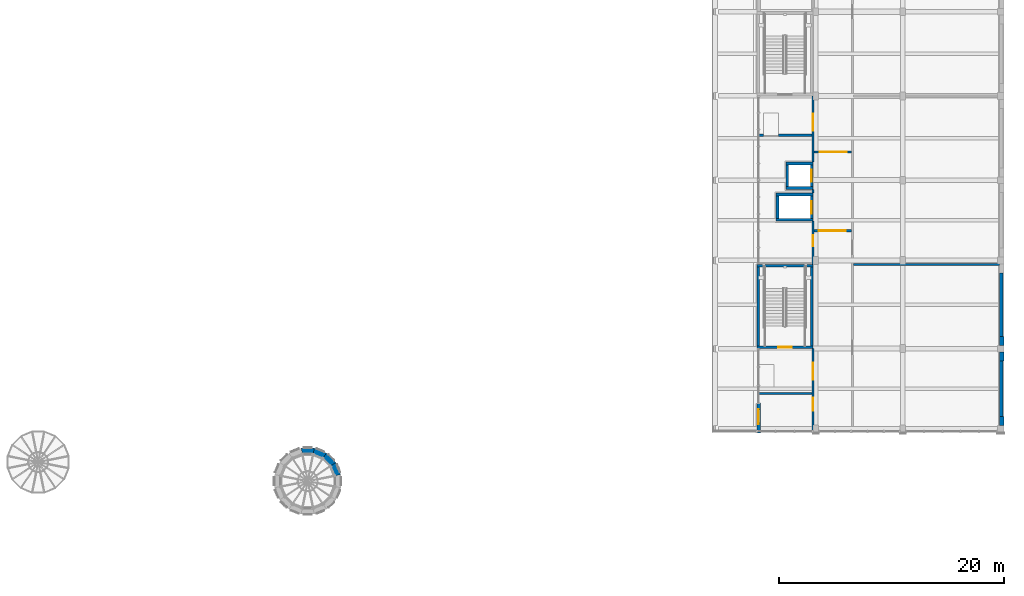
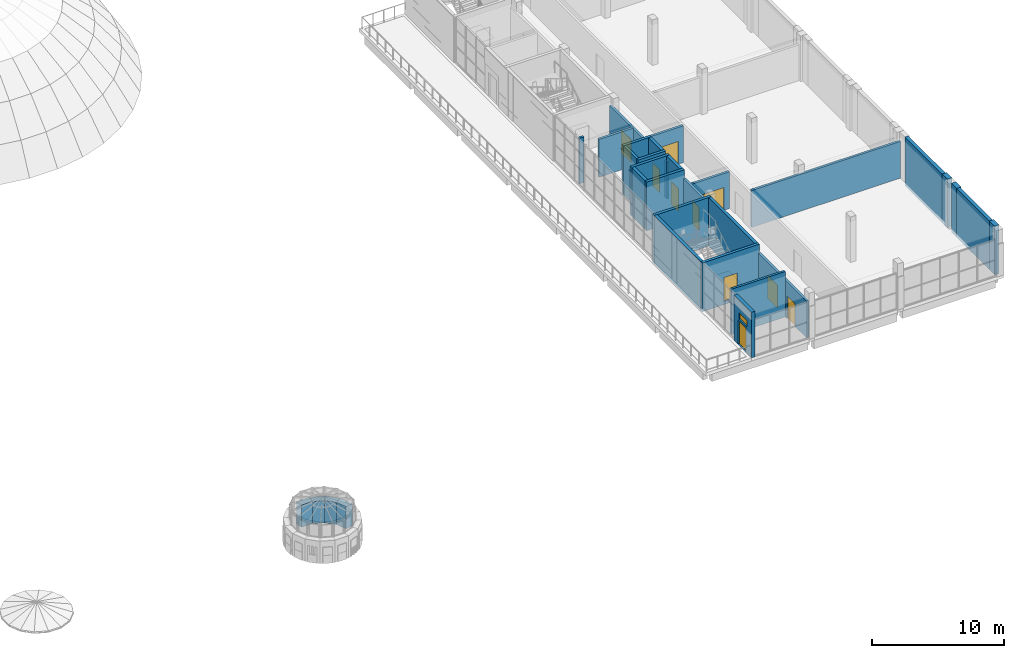
# One storey, part 27 of 36: 32 walls, 10 doors, 1 window, 11 openings.
"""IFC4 building model written with IfcOpenShell, lengths in metres."""

from ifc_helpers import new_model, si_unit, direction, frame, frame_2d, origin, place, context, subcontext, project, spatial, polyline, rectangle, outline, extrude, material, layer, layer_set, type_object, element, fill, save


model = new_model("IFC4")

# Units and contexts
model_context = context("Model", 3, precision=1e-05, world=origin(), true_north=direction((0.0, 1.0)))
body_context = subcontext(model_context, "Body", "Model", "MODEL_VIEW")
ifc_project = project(units=[si_unit("LENGTHUNIT", "METRE"), si_unit("AREAUNIT", "SQUARE_METRE"), si_unit("VOLUMEUNIT", "CUBIC_METRE"), si_unit("PLANEANGLEUNIT", "RADIAN"), si_unit("MASSUNIT", "GRAM", prefix="KILO")], contexts=[model_context])

# Site, building, storey
site_placement = place(None, origin())
site = spatial("IfcSite", under=ifc_project, at=site_placement, CompositionType="ELEMENT")
building_placement = place(site_placement, origin())
building = spatial("IfcBuilding", under=site, at=building_placement, Name="Sun Court Science Centre", CompositionType="ELEMENT")
storey_placement = place(building_placement, frame((0.0, 0.0, 24.75)))
storey = spatial("IfcBuildingStorey", under=building, at=storey_placement, Name="L05", CompositionType="ELEMENT", Elevation=24.75)

# Wall, openings, door, window
ifc_material_1 = material(Name="Clay masonry", Category="masonry")
ifc_layer_1 = layer(ifc_material_1, 0.300048828125)
ifc_layer_set_1 = layer_set([ifc_layer_1], Name="Clay masonry")
wall_type_1 = type_object("IfcWallType", Name="Clay masonry infill wall 300", PredefinedType="SOLIDWALL", material=ifc_layer_set_1)
wall_1_placement = place(storey_placement, frame((82.14990234375, 28.5, 0.0), z_axis=(0.0, 0.0, 1.0), x_axis=(0.0, 1.0, 0.0)))
wall_1 = element("IfcWall", 1, at=wall_1_placement, inside=storey, type_object=wall_type_1, Name="External infill wall L05 west face of the terrace level 01", PredefinedType="SOLIDWALL", context=body_context, shape_type="SweptSolid", body=[
    extrude(rectangle(XDim=2.659912109375, YDim=0.300048828125, at=frame_2d((1.330078125, 0.0))), origin(), (0.0, 0.0, 1.0), 4.199951171875),
])
opening_1_placement = place(wall_1_placement, frame((0.89990234375, 0.0, 0.0)))
opening_1 = element("IfcOpeningElement", 2, at=opening_1_placement, cuts=wall_1, Name="Opening D-L05-018", PredefinedType="OPENING", context=body_context, shape_type="SweptSolid", body=[
    extrude(rectangle(XDim=1.199951171875, YDim=2.199951171875, at=frame_2d((0.60009765625, 1.10009765625))), frame((0.0, 0.159912109375, 0.0), z_axis=(0.0, -1.0, 0.0), x_axis=(1.0, 0.0, 0.0)), (0.0, 0.0, 1.0), 0.320068359375),
])
opening_2_placement = place(wall_1_placement, frame((0.75, 0.0, 2.39990234375)))
opening_2 = element("IfcOpeningElement", 3, at=opening_2_placement, cuts=wall_1, Name="Opening WN-L05-017", PredefinedType="OPENING", context=body_context, shape_type="SweptSolid", body=[
    extrude(rectangle(XDim=1.199951171875, YDim=0.60009765625, at=frame_2d((0.60009765625, 0.300048828125))), frame((0.0, 0.159912109375, 0.0), z_axis=(0.0, -1.0, 0.0), x_axis=(1.0, 0.0, 0.0)), (0.0, 0.0, 1.0), 0.320068359375),
])
ifc_material_2 = material(Name="Steel and glass", Category="steel")
door_type_1 = type_object("IfcDoorType", Name="Exterior door 1200 x 2200 single", OperationType="SINGLE_SWING_LEFT", PredefinedType="DOOR", material=ifc_material_2)
door_1_placement = place(opening_1_placement, origin())
door_1 = element("IfcDoor", 4, at=door_1_placement, inside=storey, type_object=door_type_1, Name="Exterior door D-L05-018 to the west terrace", OperationType="SINGLE_SWING_LEFT", OverallHeight=2.199951171875, OverallWidth=1.199951171875, PredefinedType="DOOR", context=body_context, shape_type="SweptSolid", body=[
    extrude(rectangle(XDim=1.199951171875, YDim=2.199951171875, at=frame_2d((0.60009765625, 1.10009765625))), frame((0.0, 0.02490234375, 0.0), z_axis=(0.0, -1.0, 0.0), x_axis=(1.0, 0.0, 0.0)), (0.0, 0.0, 1.0), 0.050048828125),
])
fill(opening_1, door_1)
ifc_material_3 = material(Name="Aluminium frame, 6-12-6 glazing", Category="aluminium")
window_type = type_object("IfcWindowType", Name="Smoke vent opening light 1200 x 600", PartitioningType="SINGLE_PANEL", PredefinedType="WINDOW", material=ifc_material_3)
window_placement = place(opening_2_placement, origin())
window = element("IfcWindow", 5, at=window_placement, inside=storey, type_object=window_type, Name="Smoke vent L05 west face of the terrace level", OverallHeight=0.60009765625, OverallWidth=1.199951171875, PartitioningType="SINGLE_PANEL", PredefinedType="WINDOW", context=body_context, shape_type="SweptSolid", body=[
    extrude(rectangle(XDim=1.199951171875, YDim=0.60009765625, at=frame_2d((0.60009765625, 0.300048828125))), frame((0.0, 0.030029296875, 0.0), z_axis=(0.0, -1.0, 0.0), x_axis=(1.0, 0.0, 0.0)), (0.0, 0.0, 1.0), 0.06005859375),
])
fill(opening_2, window)

# Walls
ifc_material_4 = material(Name="Gypsum board")
ifc_layer_2 = layer(ifc_material_4, 0.199951171875)
ifc_layer_set_2 = layer_set([ifc_layer_2], Name="Gypsum board")
wall_type_2 = type_object("IfcWallType", Name="Partition 200 acoustic double stud", PredefinedType="PARTITIONING", material=ifc_layer_set_2)
wall_2_placement = place(storey_placement, frame((90.60009765625, 43.5, 0.0), z_axis=(0.0, 0.0, 1.0), x_axis=(1.0, 0.0, 0.0)))
element("IfcWall", 6, at=wall_2_placement, inside=storey, type_object=wall_type_2, Name="L05 partition 002", PredefinedType="PARTITIONING", context=body_context, shape_type="SweptSolid", body=[
    extrude(rectangle(XDim=12.997802734375, YDim=0.199951171875, at=frame_2d((6.4990234375, 0.0))), origin(), (0.0, 0.0, 1.0), 3.39990234375),
])
ifc_material_5 = material(Name="Concrete block", Category="concrete")
ifc_layer_3 = layer(ifc_material_5, 0.199951171875)
ifc_layer_set_3 = layer_set([ifc_layer_3], Name="Concrete block")
wall_type_3 = type_object("IfcWallType", Name="Partition 200 block EI60", PredefinedType="PARTITIONING", material=ifc_layer_set_3)
wall_3_placement = place(storey_placement, frame((82.199951171875, 32.0, 0.0), z_axis=(0.0, 0.0, 1.0), x_axis=(1.0, 0.0, 0.0)))
element("IfcWall", 7, at=wall_3_placement, inside=storey, type_object=wall_type_3, Name="L05 partition 001", PredefinedType="PARTITIONING", context=body_context, shape_type="SweptSolid", body=[
    extrude(rectangle(XDim=4.699951171875, YDim=0.199951171875, at=frame_2d((2.35009765625, 0.0))), origin(), (0.0, 0.0, 1.0), 4.199951171875),
])
wall_4_placement = place(storey_placement, frame((82.199951171875, 55.0, 0.0), z_axis=(0.0, 0.0, 1.0), x_axis=(1.0, 0.0, 0.0)))
element("IfcWall", 8, at=wall_4_placement, inside=storey, type_object=wall_type_3, Name="L05 partition 005", PredefinedType="PARTITIONING", context=body_context, shape_type="SweptSolid", body=[
    extrude(rectangle(XDim=0.400146484375, YDim=0.199951171875, at=frame_2d((0.2001953125, 0.0))), origin(), (0.0, 0.0, 1.0), 4.199951171875),
])
wall_5_placement = place(storey_placement, frame((83.89990234375, 55.0, 0.0), z_axis=(0.0, 0.0, 1.0), x_axis=(1.0, 0.0, 0.0)))
element("IfcWall", 9, at=wall_5_placement, inside=storey, type_object=wall_type_3, Name="L05 partition 006", PredefinedType="PARTITIONING", context=body_context, shape_type="SweptSolid", body=[
    extrude(rectangle(XDim=3.0, YDim=0.199951171875, at=frame_2d((1.5, 0.0))), origin(), (0.0, 0.0, 1.0), 3.5),
])
wall_6_placement = place(storey_placement, frame((87.0, 49.85205078125, 0.0), z_axis=(0.0, 0.0, 1.0), x_axis=(0.0, 1.0, 0.0)))
element("IfcWall", 10, at=wall_6_placement, inside=storey, type_object=wall_type_3, Name="L05 partition 013", PredefinedType="PARTITIONING", context=body_context, shape_type="SweptSolid", body=[
    extrude(rectangle(XDim=0.33349609375, YDim=0.199951171875, at=frame_2d((0.166748046875, 0.0))), origin(), (0.0, 0.0, 1.0), 3.39990234375),
])

# Wall, opening, door
ifc_material_6 = material(Name="Concrete block", Category="concrete")
ifc_layer_4 = layer(ifc_material_6, 0.199951171875)
ifc_layer_set_4 = layer_set([ifc_layer_4], Name="Concrete block")
wall_type_4 = type_object("IfcWallType", Name="Partition 200 corridor block EI120", PredefinedType="PARTITIONING", material=ifc_layer_set_4)
wall_7_placement = place(storey_placement, frame((90.39990234375, 46.5, 0.0), z_axis=(0.0, 0.0, 1.0), x_axis=(-1.0, 0.0, 0.0)))
wall_7 = element("IfcWall", 11, at=wall_7_placement, inside=storey, type_object=wall_type_4, Name="L05 partition 003", PredefinedType="PARTITIONING", context=body_context, shape_type="SweptSolid", body=[
    extrude(rectangle(XDim=3.2998046875, YDim=0.199951171875, at=frame_2d((1.64990234375, 0.0))), origin(), (0.0, 0.0, 1.0), 3.39990234375),
])
opening_3_placement = place(wall_7_placement, frame((0.47705078125, 0.0, 0.0)))
opening_3 = element("IfcOpeningElement", 12, at=opening_3_placement, cuts=wall_7, Name="Opening D-L05-004", PredefinedType="OPENING", context=body_context, shape_type="SweptSolid", body=[
    extrude(rectangle(XDim=2.39990234375, YDim=2.10009765625, at=frame_2d((1.199951171875, 1.050048828125))), frame((0.0, 0.10986328125, 0.0), z_axis=(0.0, -1.0, 0.0), x_axis=(1.0, 0.0, 0.0)), (0.0, 0.0, 1.0), 0.219970703125),
])
ifc_material_7 = material(Name="Steel", Category="steel")
door_type_2 = type_object("IfcDoorType", Name="Door 2400x2100 double leaf FD60", OperationType="DOUBLE_DOOR_SINGLE_SWING", PredefinedType="DOOR", material=ifc_material_7)
door_2_placement = place(opening_3_placement, origin())
door_2 = element("IfcDoor", 13, at=door_2_placement, inside=storey, type_object=door_type_2, Name="Door D-L05-004", OperationType="DOUBLE_DOOR_SINGLE_SWING", OverallHeight=2.10009765625, OverallWidth=2.39990234375, PredefinedType="DOOR", context=body_context, shape_type="SweptSolid", body=[
    extrude(rectangle(XDim=2.39990234375, YDim=2.10009765625, at=frame_2d((1.199951171875, 1.050048828125))), frame((0.0, 0.02490234375, 0.0), z_axis=(0.0, -1.0, 0.0), x_axis=(1.0, 0.0, 0.0)), (0.0, 0.0, 1.0), 0.050048828125),
])
fill(opening_3, door_2)

wall_8_placement = place(storey_placement, frame((87.10009765625, 53.5, 0.0), z_axis=(0.0, 0.0, 1.0), x_axis=(1.0, 0.0, 0.0)))
wall_8 = element("IfcWall", 14, at=wall_8_placement, inside=storey, type_object=wall_type_4, Name="L05 partition 004", PredefinedType="PARTITIONING", context=body_context, shape_type="SweptSolid", body=[
    extrude(rectangle(XDim=3.2998046875, YDim=0.199951171875, at=frame_2d((1.64990234375, 0.0))), origin(), (0.0, 0.0, 1.0), 3.39990234375),
])
opening_4_placement = place(wall_8_placement, frame((0.47705078125, 0.0, 0.0)))
opening_4 = element("IfcOpeningElement", 15, at=opening_4_placement, cuts=wall_8, Name="Opening D-L05-001", PredefinedType="OPENING", context=body_context, shape_type="SweptSolid", body=[
    extrude(rectangle(XDim=2.39990234375, YDim=2.10009765625, at=frame_2d((1.199951171875, 1.050048828125))), frame((0.0, 0.10986328125, 0.0), z_axis=(0.0, -1.0, 0.0), x_axis=(1.0, 0.0, 0.0)), (0.0, 0.0, 1.0), 0.219970703125),
])
door_3_placement = place(opening_4_placement, origin())
door_3 = element("IfcDoor", 16, at=door_3_placement, inside=storey, type_object=door_type_2, Name="Door D-L05-001", OperationType="DOUBLE_DOOR_SINGLE_SWING", OverallHeight=2.10009765625, OverallWidth=2.39990234375, PredefinedType="DOOR", context=body_context, shape_type="SweptSolid", body=[
    extrude(rectangle(XDim=2.39990234375, YDim=2.10009765625, at=frame_2d((1.199951171875, 1.050048828125))), frame((0.0, 0.02490234375, 0.0), z_axis=(0.0, -1.0, 0.0), x_axis=(1.0, 0.0, 0.0)), (0.0, 0.0, 1.0), 0.050048828125),
])
fill(opening_4, door_3)

# Wall, openings, doors
wall_9_placement = place(storey_placement, frame((87.0, 28.699951171875, 0.0), z_axis=(0.0, 0.0, 1.0), x_axis=(0.0, 1.0, 0.0)))
wall_9 = element("IfcWall", 17, at=wall_9_placement, inside=storey, type_object=wall_type_4, Name="L05 partition 011", PredefinedType="PARTITIONING", context=body_context, shape_type="SweptSolid", body=[
    extrude(rectangle(XDim=7.298095703125, YDim=0.199951171875, at=frame_2d((3.64892578125, 0.0))), origin(), (0.0, 0.0, 1.0), 3.39990234375),
])
opening_5_placement = place(wall_9_placement, frame((4.550048828125, 0.0, 0.0)))
opening_5 = element("IfcOpeningElement", 18, at=opening_5_placement, cuts=wall_9, Name="Opening D-L05-006", PredefinedType="OPENING", context=body_context, shape_type="SweptSolid", body=[
    extrude(rectangle(XDim=1.5, YDim=2.10009765625, at=frame_2d((0.75, 1.050048828125))), frame((0.0, 0.10986328125, 0.0), z_axis=(0.0, -1.0, 0.0), x_axis=(1.0, 0.0, 0.0)), (0.0, 0.0, 1.0), 0.219970703125),
])
opening_6_placement = place(wall_9_placement, frame((1.75, 0.0, 0.0)))
opening_6 = element("IfcOpeningElement", 19, at=opening_6_placement, cuts=wall_9, Name="Opening D-L05-011", PredefinedType="OPENING", context=body_context, shape_type="SweptSolid", body=[
    extrude(rectangle(XDim=1.199951171875, YDim=2.10009765625, at=frame_2d((0.60009765625, 1.050048828125))), frame((0.0, 0.10986328125, 0.0), z_axis=(0.0, -1.0, 0.0), x_axis=(1.0, 0.0, 0.0)), (0.0, 0.0, 1.0), 0.219970703125),
])
ifc_material_8 = material(Name="Steel", Category="steel")
door_type_3 = type_object("IfcDoorType", Name="Door 1200x2100 single leaf FD60", OperationType="NOTDEFINED", PredefinedType="DOOR", material=ifc_material_8)
door_4_placement = place(opening_6_placement, origin())
door_4 = element("IfcDoor", 20, at=door_4_placement, inside=storey, type_object=door_type_3, Name="Door D-L05-011", OperationType="SINGLE_SWING_RIGHT", OverallHeight=2.10009765625, OverallWidth=1.199951171875, PredefinedType="DOOR", context=body_context, shape_type="SweptSolid", body=[
    extrude(rectangle(XDim=1.199951171875, YDim=2.10009765625, at=frame_2d((0.60009765625, 1.050048828125))), frame((0.0, 0.02490234375, 0.0), z_axis=(0.0, -1.0, 0.0), x_axis=(1.0, 0.0, 0.0)), (0.0, 0.0, 1.0), 0.050048828125),
])
fill(opening_6, door_4)
ifc_material_9 = material(Name="Steel", Category="steel")
door_type_4 = type_object("IfcDoorType", Name="Door 1500x2100 double leaf FD60", OperationType="DOUBLE_DOOR_SINGLE_SWING", PredefinedType="DOOR", material=ifc_material_9)
door_5_placement = place(opening_5_placement, origin())
door_5 = element("IfcDoor", 21, at=door_5_placement, inside=storey, type_object=door_type_4, Name="Door D-L05-006", OperationType="DOUBLE_DOOR_SINGLE_SWING", OverallHeight=2.10009765625, OverallWidth=1.5, PredefinedType="DOOR", context=body_context, shape_type="SweptSolid", body=[
    extrude(rectangle(XDim=1.5, YDim=2.10009765625, at=frame_2d((0.75, 1.050048828125))), frame((0.0, 0.02490234375, 0.0), z_axis=(0.0, -1.0, 0.0), x_axis=(1.0, 0.0, 0.0)), (0.0, 0.0, 1.0), 0.050048828125),
])
fill(opening_5, door_5)

# Wall, opening, door
wall_10_placement = place(storey_placement, frame((87.0, 43.501953125, 0.0), z_axis=(0.0, 0.0, 1.0), x_axis=(0.0, 1.0, 0.0)))
wall_10 = element("IfcWall", 22, at=wall_10_placement, inside=storey, type_object=wall_type_4, Name="L05 partition 012", PredefinedType="PARTITIONING", context=body_context, shape_type="SweptSolid", body=[
    extrude(rectangle(XDim=3.845947265625, YDim=0.199951171875, at=frame_2d((1.9228515625, 0.0))), origin(), (0.0, 0.0, 1.0), 3.39990234375),
])
opening_7_placement = place(wall_10_placement, frame((1.59912109375, 0.0, 0.0)))
opening_7 = element("IfcOpeningElement", 23, at=opening_7_placement, cuts=wall_10, Name="Opening D-L05-012", PredefinedType="OPENING", context=body_context, shape_type="SweptSolid", body=[
    extrude(rectangle(XDim=1.0, YDim=2.10009765625, at=frame_2d((0.5, 1.050048828125))), frame((0.0, 0.10986328125, 0.0), z_axis=(0.0, -1.0, 0.0), x_axis=(1.0, 0.0, 0.0)), (0.0, 0.0, 1.0), 0.219970703125),
])
ifc_material_10 = material(Name="Steel", Category="steel")
door_type_5 = type_object("IfcDoorType", Name="Door 1000x2100 single leaf FD30S", OperationType="NOTDEFINED", PredefinedType="DOOR", material=ifc_material_10)
door_6_placement = place(opening_7_placement, origin())
door_6 = element("IfcDoor", 24, at=door_6_placement, inside=storey, type_object=door_type_5, Name="Door D-L05-012", OperationType="SINGLE_SWING_LEFT", OverallHeight=2.10009765625, OverallWidth=1.0, PredefinedType="DOOR", context=body_context, shape_type="SweptSolid", body=[
    extrude(rectangle(XDim=1.0, YDim=2.10009765625, at=frame_2d((0.5, 1.050048828125))), frame((0.0, 0.02490234375, 0.0), z_axis=(0.0, -1.0, 0.0), x_axis=(1.0, 0.0, 0.0)), (0.0, 0.0, 1.0), 0.050048828125),
])
fill(opening_7, door_6)

wall_11_placement = place(storey_placement, frame((87.0, 52.614501953125, 0.0), z_axis=(0.0, 0.0, 1.0), x_axis=(0.0, 1.0, 0.0)))
wall_11 = element("IfcWall", 25, at=wall_11_placement, inside=storey, type_object=wall_type_4, Name="L05 partition 014", PredefinedType="PARTITIONING", context=body_context, shape_type="SweptSolid", body=[
    extrude(rectangle(XDim=5.883544921875, YDim=0.199951171875, at=frame_2d((2.94189453125, 0.0))), origin(), (0.0, 0.0, 1.0), 3.39990234375),
])
opening_8_placement = place(wall_11_placement, frame((2.785400390625, 0.0, 0.0)))
opening_8 = element("IfcOpeningElement", 26, at=opening_8_placement, cuts=wall_11, Name="Opening D-L05-008", PredefinedType="OPENING", context=body_context, shape_type="SweptSolid", body=[
    extrude(rectangle(XDim=1.5, YDim=2.10009765625, at=frame_2d((0.75, 1.050048828125))), frame((0.0, 0.10986328125, 0.0), z_axis=(0.0, -1.0, 0.0), x_axis=(1.0, 0.0, 0.0)), (0.0, 0.0, 1.0), 0.219970703125),
])
door_7_placement = place(opening_8_placement, origin())
door_7 = element("IfcDoor", 27, at=door_7_placement, inside=storey, type_object=door_type_4, Name="Door D-L05-008", OperationType="DOUBLE_DOOR_SINGLE_SWING", OverallHeight=2.10009765625, OverallWidth=1.5, PredefinedType="DOOR", context=body_context, shape_type="SweptSolid", body=[
    extrude(rectangle(XDim=1.5, YDim=2.10009765625, at=frame_2d((0.75, 1.050048828125))), frame((0.0, 0.02490234375, 0.0), z_axis=(0.0, -1.0, 0.0), x_axis=(1.0, 0.0, 0.0)), (0.0, 0.0, 1.0), 0.050048828125),
])
fill(opening_8, door_7)

# Walls
ifc_material_11 = material(Name="Concrete C30/37", Category="concrete")
ifc_layer_5 = layer(ifc_material_11, 0.60009765625)
ifc_layer_set_5 = layer_set([ifc_layer_5], Name="Concrete C30/37")
wall_type_5 = type_object("IfcWallType", Name="RC cone ring wall exterior 600", PredefinedType="SHEAR", material=ifc_layer_set_5)
wall_12_placement = place(storey_placement, frame((44.665283203125, 24.67041015625, -0.300048828125), z_axis=(0.0, 0.0, 1.0), x_axis=(-0.382689470177, 0.923877031545, 0.0)))
element("IfcWall", 28, at=wall_12_placement, inside=storey, type_object=wall_type_5, Name="Cone 4 ring wall L05 segment 1", PredefinedType="SHEAR", context=body_context, shape_type="SweptSolid", body=[
    extrude(outline(polyline([(0.000244140625, -0.300048828125), (1.170654296875, -0.2998046875), (1.05126953125, 0.300048828125), (0.11962890625, 0.300048828125), (0.000244140625, -0.300048828125)])), origin(), (0.0, 0.0, 1.0), 2.050048828125),
])
wall_13_placement = place(storey_placement, frame((44.2822265625, 25.654541015625, -0.300048828125), z_axis=(0.0, 0.0, 1.0), x_axis=(-0.707106781187, 0.707106781187, 0.0)))
element("IfcWall", 29, at=wall_13_placement, inside=storey, type_object=wall_type_5, Name="Cone 4 ring wall L05 segment 2", PredefinedType="SHEAR", context=body_context, shape_type="SweptSolid", body=[
    extrude(outline(polyline([(0.0, -0.300048828125), (1.17041015625, -0.300048828125), (1.05126953125, 0.2998046875), (0.119384765625, 0.2998046875), (0.0, -0.300048828125)])), origin(), (0.0, 0.0, 1.0), 2.050048828125),
])
wall_14_placement = place(storey_placement, frame((43.552001953125, 26.417236328125, -0.300048828125), z_axis=(0.0, 0.0, 1.0), x_axis=(-0.923877031545, 0.382689470177, 0.0)))
element("IfcWall", 30, at=wall_14_placement, inside=storey, type_object=wall_type_5, Name="Cone 4 ring wall L05 segment 3", PredefinedType="SHEAR", context=body_context, shape_type="SweptSolid", body=[
    extrude(outline(polyline([(0.0, -0.2998046875), (1.170654296875, -0.2998046875), (1.051513671875, 0.300048828125), (0.119384765625, 0.300048828125), (0.0, -0.2998046875)])), origin(), (0.0, 0.0, 1.0), 2.050048828125),
])
wall_15_placement = place(storey_placement, frame((42.585205078125, 26.84228515625, -0.300048828125), z_axis=(0.0, 0.0, 1.0), x_axis=(-1.0, 0.0, 0.0)))
element("IfcWall", 31, at=wall_15_placement, inside=storey, type_object=wall_type_5, Name="Cone 4 ring wall L05 segment 4", PredefinedType="SHEAR", context=body_context, shape_type="SweptSolid", body=[
    extrude(outline(polyline([(0.0, -0.300048828125), (1.17041015625, -0.300048828125), (1.051025390625, 0.2998046875), (0.119384765625, 0.2998046875), (0.0, -0.300048828125)])), origin(), (0.0, 0.0, 1.0), 2.050048828125),
])
ifc_material_12 = material(Name="Concrete C30/37", Category="concrete")
ifc_layer_6 = layer(ifc_material_12, 0.39990234375)
ifc_layer_set_6 = layer_set([ifc_layer_6], Name="Concrete C30/37")
wall_type_6 = type_object("IfcWallType", Name="RC party wall exterior 400", PredefinedType="SOLIDWALL", material=ifc_layer_set_6)
for number, where, z_axis, x_axis, name in (
    (32, (103.800048828125, 29.14990234375, -0.300048828125), (0.0, 0.0, 1.0), (0.0, 1.0, 0.0), "East party wall L05"),
    (33, (103.800048828125, 34.89990234375, -0.300048828125), (0.0, 0.0, 1.0), (0.0, 1.0, 0.0), "East party wall L05"),
    (34, (103.800048828125, 36.300048828125, -0.300048828125), (0.0, 0.0, 1.0), (0.0, 1.0, 0.0), "East party wall L05"),
):
    element("IfcWall", number, at=place(storey_placement, frame(where, z_axis=z_axis, x_axis=x_axis)), inside=storey, type_object=wall_type_6, Name=name, PredefinedType="SOLIDWALL", context=body_context, shape_type="SweptSolid", body=[
        extrude(rectangle(XDim=0.800048828125, YDim=0.39990234375, at=frame_2d((0.39990234375, 0.0))), origin(), (0.0, 0.0, 1.0), 4.5),
    ])
ifc_material_13 = material(Name="Concrete C30/37", Category="concrete")
ifc_layer_7 = layer(ifc_material_13, 0.300048828125)
ifc_layer_set_7 = layer_set([ifc_layer_7], Name="Concrete C30/37")
wall_type_7 = type_object("IfcWallType", Name="RC party wall panel exterior 300", PredefinedType="SOLIDWALL", material=ifc_layer_set_7)
wall_16_placement = place(storey_placement, frame((103.75, 29.949951171875, -0.300048828125), z_axis=(0.0, 0.0, 1.0), x_axis=(0.0, 1.0, 0.0)))
element("IfcWall", 35, at=wall_16_placement, inside=storey, type_object=wall_type_7, Name="East party wall L05 panel", PredefinedType="SOLIDWALL", context=body_context, shape_type="SweptSolid", body=[
    extrude(rectangle(XDim=4.949951171875, YDim=0.300048828125, at=frame_2d((2.47509765625, 0.0))), origin(), (0.0, 0.0, 1.0), 4.5),
])
wall_17_placement = place(storey_placement, frame((103.75, 37.10009765625, -0.300048828125), z_axis=(0.0, 0.0, 1.0), x_axis=(0.0, 1.0, 0.0)))
element("IfcWall", 36, at=wall_17_placement, inside=storey, type_object=wall_type_7, Name="East party wall L05 panel", PredefinedType="SOLIDWALL", context=body_context, shape_type="SweptSolid", body=[
    extrude(rectangle(XDim=5.64990234375, YDim=0.300048828125, at=frame_2d((2.824951171875, 0.0))), origin(), (0.0, 0.0, 1.0), 4.5),
])
ifc_material_14 = material(Name="Concrete C30/37", Category="concrete")
ifc_layer_8 = layer(ifc_material_14, 0.25)
ifc_layer_set_8 = layer_set([ifc_layer_8], Name="Concrete C30/37")
wall_type_8 = type_object("IfcWallType", Name="RC shaft wall 250", PredefinedType="SHEAR", material=ifc_layer_set_8)
wall_18_placement = place(storey_placement, frame((83.699951171875, 47.47509765625, -0.300048828125), z_axis=(0.0, 0.0, 1.0), x_axis=(1.0, 0.0, 0.0)))
element("IfcWall", 37, at=wall_18_placement, inside=storey, type_object=wall_type_8, Name="Lift core LL1 wall S, L05", PredefinedType="SHEAR", context=body_context, shape_type="SweptSolid", body=[
    extrude(rectangle(XDim=3.300048828125, YDim=0.25, at=frame_2d((1.64990234375, 0.0))), origin(), (0.0, 0.0, 1.0), 4.5),
])

# Wall, opening, door
wall_19_placement = place(storey_placement, frame((86.875, 47.60009765625, -0.300048828125), z_axis=(0.0, 0.0, 1.0), x_axis=(0.0, 1.0, 0.0)))
wall_19 = element("IfcWall", 38, at=wall_19_placement, inside=storey, type_object=wall_type_8, Name="Lift core LL1 wall E, L05", PredefinedType="SHEAR", context=body_context, shape_type="SweptSolid", body=[
    extrude(rectangle(XDim=2.0, YDim=0.25, at=frame_2d((1.0, 0.0))), origin(), (0.0, 0.0, 1.0), 4.5),
])
opening_9_placement = place(wall_19_placement, frame((0.424072265625, 0.0, 0.300048828125)))
opening_9 = element("IfcOpeningElement", 39, at=opening_9_placement, cuts=wall_19, Name="Opening D-L05-002", PredefinedType="OPENING", context=body_context, shape_type="SweptSolid", body=[
    extrude(rectangle(XDim=1.10009765625, YDim=2.10009765625, at=frame_2d((0.550048828125, 1.050048828125))), frame((0.0, 0.135009765625, 0.0), z_axis=(0.0, -1.0, 0.0), x_axis=(1.0, 0.0, 0.0)), (0.0, 0.0, 1.0), 0.27001953125),
])
ifc_material_15 = material(Name="Steel", Category="steel")
door_type_6 = type_object("IfcDoorType", Name="Lift landing door 1100x2100 sliding", OperationType="DOUBLE_DOOR_SLIDING", PredefinedType="DOOR", material=ifc_material_15)
door_8_placement = place(opening_9_placement, origin())
door_8 = element("IfcDoor", 40, at=door_8_placement, inside=storey, type_object=door_type_6, Name="Lift landing door D-L05-002", OperationType="DOUBLE_DOOR_SLIDING", OverallHeight=2.10009765625, OverallWidth=1.10009765625, PredefinedType="DOOR", context=body_context, shape_type="SweptSolid", body=[
    extrude(rectangle(XDim=1.10009765625, YDim=2.10009765625, at=frame_2d((0.550048828125, 1.050048828125))), frame((0.0, 0.02490234375, 0.0), z_axis=(0.0, -1.0, 0.0), x_axis=(1.0, 0.0, 0.0)), (0.0, 0.0, 1.0), 0.050048828125),
])
fill(opening_9, door_8)

# Walls
wall_20_placement = place(storey_placement, frame((83.699951171875, 49.72509765625, -0.300048828125), z_axis=(0.0, 0.0, 1.0), x_axis=(1.0, 0.0, 0.0)))
element("IfcWall", 41, at=wall_20_placement, inside=storey, type_object=wall_type_8, Name="Lift core LL1 wall N, L05", PredefinedType="SHEAR", context=body_context, shape_type="SweptSolid", body=[
    extrude(rectangle(XDim=3.300048828125, YDim=0.25, at=frame_2d((1.64990234375, 0.0))), origin(), (0.0, 0.0, 1.0), 4.5),
])
wall_21_placement = place(storey_placement, frame((83.824951171875, 47.60009765625, -0.300048828125), z_axis=(0.0, 0.0, 1.0), x_axis=(0.0, 1.0, 0.0)))
element("IfcWall", 42, at=wall_21_placement, inside=storey, type_object=wall_type_8, Name="Lift core LL1 wall W, L05", PredefinedType="SHEAR", context=body_context, shape_type="SweptSolid", body=[
    extrude(rectangle(XDim=2.0, YDim=0.25, at=frame_2d((1.0, 0.0))), origin(), (0.0, 0.0, 1.0), 4.5),
])
wall_22_placement = place(storey_placement, frame((84.577392578125, 50.3125, -0.300048828125), z_axis=(0.0, 0.0, 1.0), x_axis=(1.0, 0.0, 0.0)))
element("IfcWall", 43, at=wall_22_placement, inside=storey, type_object=wall_type_8, Name="Lift core LL2 wall S, L05", PredefinedType="SHEAR", context=body_context, shape_type="SweptSolid", body=[
    extrude(rectangle(XDim=2.425048828125, YDim=0.25, at=frame_2d((1.21240234375, 0.0))), origin(), (0.0, 0.0, 1.0), 4.5),
])

# Wall, opening, door
wall_23_placement = place(storey_placement, frame((86.87744140625, 50.4375, -0.300048828125), z_axis=(0.0, 0.0, 1.0), x_axis=(0.0, 1.0, 0.0)))
wall_23 = element("IfcWall", 44, at=wall_23_placement, inside=storey, type_object=wall_type_8, Name="Lift core LL2 wall E, L05", PredefinedType="SHEAR", context=body_context, shape_type="SweptSolid", body=[
    extrude(rectangle(XDim=1.925048828125, YDim=0.25, at=frame_2d((0.96240234375, 0.0))), origin(), (0.0, 0.0, 1.0), 4.5),
])
opening_10_placement = place(wall_23_placement, frame((0.41259765625, 0.0, 0.300048828125)))
opening_10 = element("IfcOpeningElement", 45, at=opening_10_placement, cuts=wall_23, Name="Opening D-L05-003", PredefinedType="OPENING", context=body_context, shape_type="SweptSolid", body=[
    extrude(rectangle(XDim=1.10009765625, YDim=2.10009765625, at=frame_2d((0.550048828125, 1.050048828125))), frame((0.0, 0.135009765625, 0.0), z_axis=(0.0, -1.0, 0.0), x_axis=(1.0, 0.0, 0.0)), (0.0, 0.0, 1.0), 0.27001953125),
])
door_9_placement = place(opening_10_placement, origin())
door_9 = element("IfcDoor", 46, at=door_9_placement, inside=storey, type_object=door_type_6, Name="Lift landing door D-L05-003", OperationType="DOUBLE_DOOR_SLIDING", OverallHeight=2.10009765625, OverallWidth=1.10009765625, PredefinedType="DOOR", context=body_context, shape_type="SweptSolid", body=[
    extrude(rectangle(XDim=1.10009765625, YDim=2.10009765625, at=frame_2d((0.550048828125, 1.050048828125))), frame((0.0, 0.02490234375, 0.0), z_axis=(0.0, -1.0, 0.0), x_axis=(1.0, 0.0, 0.0)), (0.0, 0.0, 1.0), 0.050048828125),
])
fill(opening_10, door_9)

# Walls
wall_24_placement = place(storey_placement, frame((84.577392578125, 52.487548828125, -0.300048828125), z_axis=(0.0, 0.0, 1.0), x_axis=(1.0, 0.0, 0.0)))
element("IfcWall", 47, at=wall_24_placement, inside=storey, type_object=wall_type_8, Name="Lift core LL2 wall N, L05", PredefinedType="SHEAR", context=body_context, shape_type="SweptSolid", body=[
    extrude(rectangle(XDim=2.425048828125, YDim=0.25, at=frame_2d((1.21240234375, 0.0))), origin(), (0.0, 0.0, 1.0), 4.5),
])
wall_25_placement = place(storey_placement, frame((84.702392578125, 50.4375, -0.300048828125), z_axis=(0.0, 0.0, 1.0), x_axis=(0.0, 1.0, 0.0)))
element("IfcWall", 48, at=wall_25_placement, inside=storey, type_object=wall_type_8, Name="Lift core LL2 wall W, L05", PredefinedType="SHEAR", context=body_context, shape_type="SweptSolid", body=[
    extrude(rectangle(XDim=1.925048828125, YDim=0.25, at=frame_2d((0.96240234375, 0.0))), origin(), (0.0, 0.0, 1.0), 4.5),
])

# Wall, opening, door
ifc_material_16 = material(Name="Concrete C30/37", Category="concrete")
ifc_layer_9 = layer(ifc_material_16, 0.25)
ifc_layer_set_9 = layer_set([ifc_layer_9], Name="Concrete C30/37")
wall_type_9 = type_object("IfcWallType", Name="RC stair core wall 250", PredefinedType="SHEAR", material=ifc_layer_set_9)
wall_26_placement = place(storey_placement, frame((82.0, 36.125, -0.300048828125), z_axis=(0.0, 0.0, 1.0), x_axis=(1.0, 0.0, 0.0)))
wall_26 = element("IfcWall", 49, at=wall_26_placement, inside=storey, type_object=wall_type_9, Name="Stair core SL2 wall S, L05", PredefinedType="SHEAR", context=body_context, shape_type="SweptSolid", body=[
    extrude(rectangle(XDim=5.0, YDim=0.25, at=frame_2d((2.5, 0.0))), origin(), (0.0, 0.0, 1.0), 4.5),
])
opening_11_placement = place(wall_26_placement, frame((1.89892578125, 0.0, 0.300048828125)))
opening_11 = element("IfcOpeningElement", 50, at=opening_11_placement, cuts=wall_26, Name="Opening D-L05-005", PredefinedType="OPENING", context=body_context, shape_type="SweptSolid", body=[
    extrude(rectangle(XDim=1.199951171875, YDim=2.199951171875, at=frame_2d((0.60009765625, 1.10009765625))), frame((0.0, 0.135009765625, 0.0), z_axis=(0.0, -1.0, 0.0), x_axis=(1.0, 0.0, 0.0)), (0.0, 0.0, 1.0), 0.27001953125),
])
ifc_material_17 = material(Name="Steel", Category="steel")
door_type_7 = type_object("IfcDoorType", Name="Door 1200x2200 single leaf FD60", OperationType="NOTDEFINED", PredefinedType="DOOR", material=ifc_material_17)
door_10_placement = place(opening_11_placement, origin())
door_10 = element("IfcDoor", 51, at=door_10_placement, inside=storey, type_object=door_type_7, Name="Door D-L05-005", OperationType="SINGLE_SWING_RIGHT", OverallHeight=2.199951171875, OverallWidth=1.199951171875, PredefinedType="DOOR", context=body_context, shape_type="SweptSolid", body=[
    extrude(rectangle(XDim=1.199951171875, YDim=2.199951171875, at=frame_2d((0.60009765625, 1.10009765625))), frame((0.0, 0.02490234375, 0.0), z_axis=(0.0, -1.0, 0.0), x_axis=(1.0, 0.0, 0.0)), (0.0, 0.0, 1.0), 0.050048828125),
])
fill(opening_11, door_10)

# Walls
wall_27_placement = place(storey_placement, frame((86.875, 36.25, -0.300048828125), z_axis=(0.0, 0.0, 1.0), x_axis=(0.0, 1.0, 0.0)))
element("IfcWall", 52, at=wall_27_placement, inside=storey, type_object=wall_type_9, Name="Stair core SL2 wall E, L05", PredefinedType="SHEAR", context=body_context, shape_type="SweptSolid", body=[
    extrude(rectangle(XDim=7.0, YDim=0.25, at=frame_2d((3.5, 0.0))), origin(), (0.0, 0.0, 1.0), 4.5),
])
wall_28_placement = place(storey_placement, frame((82.0, 43.375, -0.300048828125), z_axis=(0.0, 0.0, 1.0), x_axis=(1.0, 0.0, 0.0)))
element("IfcWall", 53, at=wall_28_placement, inside=storey, type_object=wall_type_9, Name="Stair core SL2 wall N, L05", PredefinedType="SHEAR", context=body_context, shape_type="SweptSolid", body=[
    extrude(rectangle(XDim=5.0, YDim=0.25, at=frame_2d((2.5, 0.0))), origin(), (0.0, 0.0, 1.0), 4.5),
])
wall_29_placement = place(storey_placement, frame((82.125, 36.25, -0.300048828125), z_axis=(0.0, 0.0, 1.0), x_axis=(0.0, 1.0, 0.0)))
element("IfcWall", 54, at=wall_29_placement, inside=storey, type_object=wall_type_9, Name="Stair core SL2 wall W, L05", PredefinedType="SHEAR", context=body_context, shape_type="SweptSolid", body=[
    extrude(rectangle(XDim=7.0, YDim=0.25, at=frame_2d((3.5, 0.0))), origin(), (0.0, 0.0, 1.0), 4.5),
])

save(model, "model.ifc")
